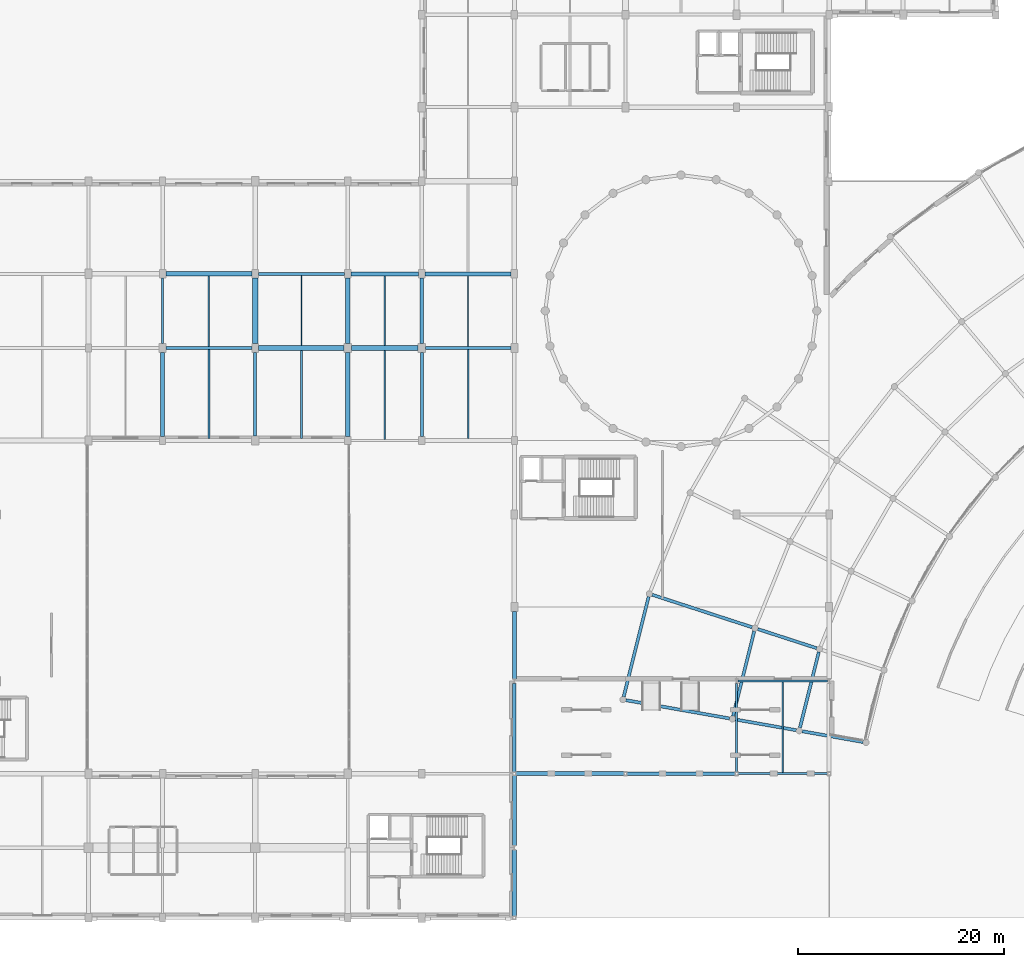
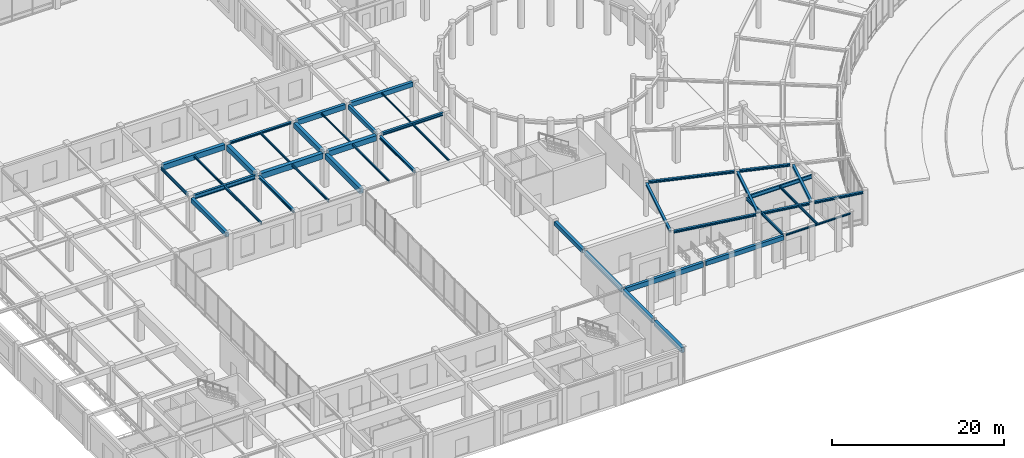
# One storey, part 16 of 64: 42 beams.
"""IFC4 building model written with IfcOpenShell, lengths in metres."""

from ifc_helpers import new_model, si_unit, direction, frame, origin, origin_2d, place, context, subcontext, project, spatial, rectangle, i_section, extrude, material, material_profile, profile_set, type_object, element, save


model = new_model("IFC4")

# Units and contexts
model_context = context("Model", 3, precision=1e-05, world=origin(), true_north=direction((0.0, 1.0)))
body_context = subcontext(model_context, "Body", "Model", "MODEL_VIEW")
ifc_project = project(units=[si_unit("LENGTHUNIT", "METRE"), si_unit("AREAUNIT", "SQUARE_METRE"), si_unit("VOLUMEUNIT", "CUBIC_METRE"), si_unit("PLANEANGLEUNIT", "RADIAN"), si_unit("MASSUNIT", "GRAM", prefix="KILO")], contexts=[model_context])

# Site, building, storey
site_placement = place(None, origin())
site = spatial("IfcSite", under=ifc_project, at=site_placement, CompositionType="ELEMENT")
building_placement = place(site_placement, origin())
building = spatial("IfcBuilding", under=site, at=building_placement, Name="Clarverna Civic Hall", CompositionType="ELEMENT")
storey_placement = place(building_placement, origin())
storey = spatial("IfcBuildingStorey", under=building, at=storey_placement, Name="L00", CompositionType="ELEMENT", Elevation=0.0)

# Beams
ifc_material_1 = material(Name="Steel S355", Category="steel")
ifc_material_profile_1 = material_profile(ifc_material_1, i_section(OverallWidth=0.199951171875, OverallDepth=0.18994140625, WebThickness=0.006591796875, FlangeThickness=0.010009765625, FilletRadius=0.01806640625, at=origin_2d()), Name="HEA 200")
ifc_profile_set_1 = profile_set([ifc_material_profile_1], Name="Steel S355")
beam_type_1 = type_object("IfcBeamType", Name="B-LN2", PredefinedType="LINTEL", material=ifc_profile_set_1)
beam_1_placement = place(storey_placement, frame((88.362060546875, 14.0, 4.7451171875), z_axis=(1.0, 0.0, 0.0), x_axis=(0.0, 1.0, 0.0)))
element("IfcBeam", 1, at=beam_1_placement, inside=storey, type_object=beam_type_1, Name="B-LN2-003", PredefinedType="LINTEL", context=body_context, shape_type="SweptSolid", body=[
    extrude(i_section(OverallWidth=0.199951171875, OverallDepth=0.18994140625, WebThickness=0.006591796875, FlangeThickness=0.010009765625, FilletRadius=0.01806640625, at=origin_2d()), origin(), (0.0, 0.0, 1.0), 8.676025390625),
])
ifc_material_2 = material(Name="Concrete C35/45", Category="concrete")
ifc_material_profile_2 = material_profile(ifc_material_2, rectangle(XDim=0.5, YDim=0.800048828125, at=origin_2d()), Name="RC 500x800")
ifc_profile_set_2 = profile_set([ifc_material_profile_2], Name="Concrete C35/45")
beam_type_2 = type_object("IfcBeamType", Name="B-RC14", PredefinedType="BEAM", material=ifc_profile_set_2)
beam_2_placement = place(storey_placement, frame((41.72509765625, 55.39990234375, 4.3798828125), z_axis=(1.0, 0.0, 0.0), x_axis=(0.0, 1.0, 0.0)))
element("IfcBeam", 2, at=beam_2_placement, inside=storey, type_object=beam_type_2, Name="B-RC14-019", PredefinedType="BEAM", context=body_context, shape_type="SweptSolid", body=[
    extrude(rectangle(XDim=0.5, YDim=0.800048828125, at=origin_2d()), origin(), (0.0, 0.0, 1.0), 8.324951171875),
])
ifc_material_profile_3 = material_profile(ifc_material_2, rectangle(XDim=0.5, YDim=0.75, at=origin_2d()), Name="RC 500x750")
ifc_profile_set_3 = profile_set([ifc_material_profile_3], Name="Concrete C35/45")
beam_type_3 = type_object("IfcBeamType", Name="B-RC15", PredefinedType="BEAM", material=ifc_profile_set_3)
beam_3_placement = place(storey_placement, frame((50.75, 55.39990234375, 4.405029296875), z_axis=(1.0, 0.0, 0.0), x_axis=(0.0, 1.0, 0.0)))
element("IfcBeam", 3, at=beam_3_placement, inside=storey, type_object=beam_type_3, Name="B-RC15-019", PredefinedType="BEAM", context=body_context, shape_type="SweptSolid", body=[
    extrude(rectangle(XDim=0.5, YDim=0.75, at=origin_2d()), origin(), (0.0, 0.0, 1.0), 6.5),
])
beam_4_placement = place(storey_placement, frame((41.39990234375, 55.824951171875, 4.405029296875), z_axis=(0.0, 1.0, 0.0), x_axis=(-1.0, 0.0, 0.0)))
element("IfcBeam", 4, at=beam_4_placement, inside=storey, type_object=beam_type_3, Name="B-RC15-023", PredefinedType="BEAM", context=body_context, shape_type="SweptSolid", body=[
    extrude(rectangle(XDim=0.5, YDim=0.75, at=origin_2d()), origin(), (0.0, 0.0, 1.0), 6.375),
])
ifc_material_profile_4 = material_profile(ifc_material_2, rectangle(XDim=0.449951171875, YDim=0.75, at=origin_2d()), Name="RC 450x750")
ifc_profile_set_4 = profile_set([ifc_material_profile_4], Name="Concrete C35/45")
beam_type_4 = type_object("IfcBeamType", Name="B-RC3", PredefinedType="BEAM", material=ifc_profile_set_4)
beam_5_placement = place(storey_placement, frame((32.72509765625, 62.60009765625, 4.405029296875), z_axis=(1.0, 0.0, 0.0), x_axis=(0.0, 1.0, 0.0)))
element("IfcBeam", 5, at=beam_5_placement, inside=storey, type_object=beam_type_4, Name="B-RC3-015", PredefinedType="BEAM", context=body_context, shape_type="SweptSolid", body=[
    extrude(rectangle(XDim=0.449951171875, YDim=0.75, at=origin_2d()), origin(), (0.0, 0.0, 1.0), 8.375),
])
beam_6_placement = place(storey_placement, frame((50.39990234375, 46.800048828125, 4.405029296875), z_axis=(0.0, 1.0, 0.0), x_axis=(-1.0, 0.0, 0.0)))
element("IfcBeam", 6, at=beam_6_placement, inside=storey, type_object=beam_type_4, Name="B-RC3-019", PredefinedType="BEAM", context=body_context, shape_type="SweptSolid", body=[
    extrude(rectangle(XDim=0.449951171875, YDim=0.75, at=origin_2d()), origin(), (0.0, 0.0, 1.0), 8.14990234375),
])
ifc_material_profile_5 = material_profile(ifc_material_2, rectangle(XDim=0.449951171875, YDim=0.699951171875, at=origin_2d()), Name="RC 450x700")
ifc_profile_set_5 = profile_set([ifc_material_profile_5], Name="Concrete C35/45")
beam_type_5 = type_object("IfcBeamType", Name="B-RC4", PredefinedType="BEAM", material=ifc_profile_set_5)
beam_7_placement = place(storey_placement, frame((50.39990234375, 55.85009765625, 4.429931640625), z_axis=(0.0, 1.0, 0.0), x_axis=(-1.0, 0.0, 0.0)))
element("IfcBeam", 7, at=beam_7_placement, inside=storey, type_object=beam_type_5, Name="B-RC4-019", PredefinedType="BEAM", context=body_context, shape_type="SweptSolid", body=[
    extrude(rectangle(XDim=0.449951171875, YDim=0.699951171875, at=origin_2d()), origin(), (0.0, 0.0, 1.0), 6.324951171875),
])
ifc_material_profile_6 = material_profile(ifc_material_2, rectangle(XDim=0.39990234375, YDim=0.699951171875, at=origin_2d()), Name="RC 400x700")
ifc_profile_set_6 = profile_set([ifc_material_profile_6], Name="Concrete C35/45")
beam_type_6 = type_object("IfcBeamType", Name="B-RC5", PredefinedType="BEAM", material=ifc_profile_set_6)
beam_8_placement = place(storey_placement, frame((50.72509765625, 62.60009765625, 4.429931640625), z_axis=(1.0, 0.0, 0.0), x_axis=(0.0, 1.0, 0.0)))
element("IfcBeam", 8, at=beam_8_placement, inside=storey, type_object=beam_type_6, Name="B-RC5-018", PredefinedType="BEAM", context=body_context, shape_type="SweptSolid", body=[
    extrude(rectangle(XDim=0.39990234375, YDim=0.699951171875, at=origin_2d()), origin(), (0.0, 0.0, 1.0), 6.5498046875),
])
ifc_material_profile_7 = material_profile(ifc_material_2, rectangle(XDim=0.39990234375, YDim=0.64990234375, at=origin_2d()), Name="RC 400x650")
ifc_profile_set_7 = profile_set([ifc_material_profile_7], Name="Concrete C35/45")
beam_type_7 = type_object("IfcBeamType", Name="B-RC6", PredefinedType="BEAM", material=ifc_profile_set_7)
beam_9_placement = place(storey_placement, frame((57.925048828125, 62.60009765625, 4.455078125), z_axis=(1.0, 0.0, 0.0), x_axis=(0.0, 1.0, 0.0)))
element("IfcBeam", 9, at=beam_9_placement, inside=storey, type_object=beam_type_7, Name="B-RC6-016", PredefinedType="BEAM", context=body_context, shape_type="SweptSolid", body=[
    extrude(rectangle(XDim=0.39990234375, YDim=0.64990234375, at=origin_2d()), origin(), (0.0, 0.0, 1.0), 8.349853515625),
])
ifc_material_profile_8 = material_profile(ifc_material_2, rectangle(XDim=0.39990234375, YDim=0.60009765625, at=origin_2d()), Name="RC 400x600")
ifc_profile_set_8 = profile_set([ifc_material_profile_8], Name="Concrete C35/45")
beam_type_8 = type_object("IfcBeamType", Name="B-RC7", PredefinedType="BEAM", material=ifc_profile_set_8)
beam_10_placement = place(storey_placement, frame((32.39990234375, 46.800048828125, 4.47998046875), z_axis=(0.0, 1.0, 0.0), x_axis=(-1.0, 0.0, 0.0)))
element("IfcBeam", 10, at=beam_10_placement, inside=storey, type_object=beam_type_8, Name="B-RC7-018", PredefinedType="BEAM", context=body_context, shape_type="SweptSolid", body=[
    extrude(rectangle(XDim=0.39990234375, YDim=0.60009765625, at=origin_2d()), origin(), (0.0, 0.0, 1.0), 8.14990234375),
])
ifc_material_profile_9 = material_profile(ifc_material_2, rectangle(XDim=0.35009765625, YDim=0.550048828125, at=origin_2d()), Name="RC 350x550")
ifc_profile_set_9 = profile_set([ifc_material_profile_9], Name="Concrete C35/45")
beam_type_9 = type_object("IfcBeamType", Name="B-RC9", PredefinedType="BEAM", material=ifc_profile_set_9)
beam_11_placement = place(storey_placement, frame((57.60009765625, 55.85009765625, 4.5048828125), z_axis=(0.0, 1.0, 0.0), x_axis=(-1.0, 0.0, 0.0)))
element("IfcBeam", 11, at=beam_11_placement, inside=storey, type_object=beam_type_9, Name="B-RC9-022", PredefinedType="BEAM", context=body_context, shape_type="SweptSolid", body=[
    extrude(rectangle(XDim=0.35009765625, YDim=0.550048828125, at=origin_2d()), origin(), (0.0, 0.0, 1.0), 6.324951171875),
])
ifc_material_profile_10 = material_profile(ifc_material_2, rectangle(XDim=0.419921875, YDim=0.719970703125, at=origin_2d()), Name="RC 420x720")
ifc_profile_set_10 = profile_set([ifc_material_profile_10], Name="Concrete C35/45")
beam_type_10 = type_object("IfcBeamType", Name="B-SP1", PredefinedType="SPANDREL", material=ifc_profile_set_10)
beam_12_placement = place(storey_placement, frame((66.60009765625, 0.162109375, 4.419921875), z_axis=(0.0, 1.0, 0.0), x_axis=(-1.0, 0.0, 0.0)))
element("IfcBeam", 12, at=beam_12_placement, inside=storey, type_object=beam_type_10, Name="B-SP1-049", PredefinedType="SPANDREL", context=body_context, shape_type="SweptSolid", body=[
    extrude(rectangle(XDim=0.419921875, YDim=0.719970703125, at=origin_2d()), origin(), (0.0, 0.0, 1.0), 6.412841796875),
])
ifc_material_profile_11 = material_profile(ifc_material_2, rectangle(XDim=0.3798828125, YDim=0.679931640625, at=origin_2d()), Name="RC 380x680")
ifc_profile_set_11 = profile_set([ifc_material_profile_11], Name="Concrete C35/45")
beam_type_11 = type_object("IfcBeamType", Name="B-SP2", PredefinedType="SPANDREL", material=ifc_profile_set_11)
beam_13_placement = place(storey_placement, frame((66.761962890625, 14.0, 4.5), z_axis=(1.0, 0.0, 0.0), x_axis=(0.0, 1.0, 0.0)))
element("IfcBeam", 13, at=beam_13_placement, inside=storey, type_object=beam_type_11, Name="B-SP2-033", PredefinedType="SPANDREL", context=body_context, shape_type="SweptSolid", body=[
    extrude(rectangle(XDim=0.3798828125, YDim=0.679931640625, at=origin_2d()), origin(), (0.0, 0.0, 1.0), 10.47607421875),
])
beam_14_placement = place(storey_placement, frame((66.60009765625, 7.02490234375, 4.43994140625), z_axis=(0.0, 1.0, 0.0), x_axis=(-1.0, 0.0, 0.0)))
element("IfcBeam", 14, at=beam_14_placement, inside=storey, type_object=beam_type_11, Name="B-SP2-048", PredefinedType="SPANDREL", context=body_context, shape_type="SweptSolid", body=[
    extrude(rectangle(XDim=0.3798828125, YDim=0.679931640625, at=origin_2d()), origin(), (0.0, 0.0, 1.0), 6.813232421875),
])
ifc_material_profile_12 = material_profile(ifc_material_2, rectangle(XDim=0.360107421875, YDim=0.6201171875, at=origin_2d()), Name="RC 360x620")
ifc_profile_set_12 = profile_set([ifc_material_profile_12], Name="Concrete C35/45")
beam_type_12 = type_object("IfcBeamType", Name="B-SP3", PredefinedType="SPANDREL", material=ifc_profile_set_12)
beam_15_placement = place(storey_placement, frame((77.56201171875, 14.0, 4.530029296875), z_axis=(1.0, 0.0, 0.0), x_axis=(0.0, 1.0, 0.0)))
element("IfcBeam", 15, at=beam_15_placement, inside=storey, type_object=beam_type_12, Name="B-SP3-034", PredefinedType="SPANDREL", context=body_context, shape_type="SweptSolid", body=[
    extrude(rectangle(XDim=0.360107421875, YDim=0.6201171875, at=origin_2d()), origin(), (0.0, 0.0, 1.0), 10.47607421875),
])
beam_16_placement = place(storey_placement, frame((66.60009765625, 14.161865234375, 4.469970703125), z_axis=(0.0, 1.0, 0.0), x_axis=(-1.0, 0.0, 0.0)))
element("IfcBeam", 16, at=beam_16_placement, inside=storey, type_object=beam_type_12, Name="B-SP3-049", PredefinedType="SPANDREL", context=body_context, shape_type="SweptSolid", body=[
    extrude(rectangle(XDim=0.360107421875, YDim=0.6201171875, at=origin_2d()), origin(), (0.0, 0.0, 1.0), 8.613037109375),
])
ifc_material_profile_13 = material_profile(ifc_material_2, rectangle(XDim=0.39990234375, YDim=0.56005859375, at=origin_2d()), Name="RC 400x560")
ifc_profile_set_13 = profile_set([ifc_material_profile_13], Name="Concrete C35/45")
beam_type_13 = type_object("IfcBeamType", Name="B-SP4", PredefinedType="SPANDREL", material=ifc_profile_set_13)
beam_17_placement = place(storey_placement, frame((66.60009765625, 23.22509765625, 4.5), z_axis=(0.0, 1.0, 0.0), x_axis=(-1.0, 0.0, 0.0)))
element("IfcBeam", 17, at=beam_17_placement, inside=storey, type_object=beam_type_13, Name="B-SP4-046", PredefinedType="SPANDREL", context=body_context, shape_type="SweptSolid", body=[
    extrude(rectangle(XDim=0.39990234375, YDim=0.56005859375, at=origin_2d()), origin(), (0.0, 0.0, 1.0), 6.52490234375),
])
ifc_material_profile_14 = material_profile(ifc_material_1, i_section(OverallWidth=0.300048828125, OverallDepth=0.60009765625, WebThickness=0.015380859375, FlangeThickness=0.030029296875, FilletRadius=0.027099609375, at=origin_2d()), Name="HEB 600")
ifc_profile_set_14 = profile_set([ifc_material_profile_14], Name="Steel S355")
beam_type_14 = type_object("IfcBeamType", Name="B-ST1", PredefinedType="BEAM", material=ifc_profile_set_14)
beam_18_placement = place(storey_placement, frame((32.75, 55.39990234375, 4.47998046875), z_axis=(1.0, 0.0, 0.0), x_axis=(0.0, 1.0, 0.0)))
element("IfcBeam", 18, at=beam_18_placement, inside=storey, type_object=beam_type_14, Name="B-ST1-001", PredefinedType="BEAM", context=body_context, shape_type="SweptSolid", body=[
    extrude(i_section(OverallWidth=0.300048828125, OverallDepth=0.60009765625, WebThickness=0.015380859375, FlangeThickness=0.030029296875, FilletRadius=0.027099609375, at=origin_2d()), origin(), (0.0, 0.0, 1.0), 8.324951171875),
])
ifc_material_profile_15 = material_profile(ifc_material_1, i_section(OverallWidth=0.300048828125, OverallDepth=0.2900390625, WebThickness=0.008544921875, FlangeThickness=0.013916015625, FilletRadius=0.027099609375, at=origin_2d()), Name="HEA 300")
ifc_profile_set_15 = profile_set([ifc_material_profile_15], Name="Steel S355")
beam_type_15 = type_object("IfcBeamType", Name="B-ST10", PredefinedType="BEAM", material=ifc_profile_set_15)
beam_19_placement = place(storey_placement, frame((41.699951171875, 62.60009765625, 4.635009765625), z_axis=(1.0, 0.0, 0.0), x_axis=(0.0, 1.0, 0.0)))
element("IfcBeam", 19, at=beam_19_placement, inside=storey, type_object=beam_type_15, Name="B-ST10-002", PredefinedType="BEAM", context=body_context, shape_type="SweptSolid", body=[
    extrude(i_section(OverallWidth=0.300048828125, OverallDepth=0.2900390625, WebThickness=0.008544921875, FlangeThickness=0.013916015625, FilletRadius=0.027099609375, at=origin_2d()), origin(), (0.0, 0.0, 1.0), 8.375),
])
ifc_material_profile_16 = material_profile(ifc_material_1, i_section(OverallWidth=0.2099609375, OverallDepth=0.550048828125, WebThickness=0.010986328125, FlangeThickness=0.01708984375, FilletRadius=0.02392578125, at=origin_2d()), Name="IPE 550")
ifc_profile_set_16 = profile_set([ifc_material_profile_16], Name="Steel S355")
beam_type_16 = type_object("IfcBeamType", Name="B-ST11", PredefinedType="BEAM", material=ifc_profile_set_16)
beam_20_placement = place(storey_placement, frame((88.35009765625, 23.0, 4.56494140625), z_axis=(1.0, 0.0, 0.0), x_axis=(0.0, 1.0, 0.0)))
element("IfcBeam", 20, at=beam_20_placement, inside=storey, type_object=beam_type_16, Name="B-ST11-001", PredefinedType="BEAM", context=body_context, shape_type="SweptSolid", body=[
    extrude(i_section(OverallWidth=0.2099609375, OverallDepth=0.550048828125, WebThickness=0.010986328125, FlangeThickness=0.01708984375, FilletRadius=0.02392578125, at=origin_2d()), origin(), (0.0, 0.0, 1.0), 8.699951171875),
])
ifc_material_profile_17 = material_profile(ifc_material_1, i_section(OverallWidth=0.179931640625, OverallDepth=0.39990234375, WebThickness=0.008544921875, FlangeThickness=0.013427734375, FilletRadius=0.02099609375, at=origin_2d()), Name="IPE 400")
ifc_profile_set_17 = profile_set([ifc_material_profile_17], Name="Steel S355")
beam_type_17 = type_object("IfcBeamType", Name="B-ST14", PredefinedType="BEAM", material=ifc_profile_set_17)
beam_21_placement = place(storey_placement, frame((32.39990234375, 55.85009765625, 4.580078125), z_axis=(0.0, 1.0, 0.0), x_axis=(-1.0, 0.0, 0.0)))
element("IfcBeam", 21, at=beam_21_placement, inside=storey, type_object=beam_type_17, Name="B-ST14-004", PredefinedType="BEAM", context=body_context, shape_type="SweptSolid", body=[
    extrude(i_section(OverallWidth=0.179931640625, OverallDepth=0.39990234375, WebThickness=0.008544921875, FlangeThickness=0.013427734375, FilletRadius=0.02099609375, at=origin_2d()), origin(), (0.0, 0.0, 1.0), 6.324951171875),
])
beam_22_placement = place(storey_placement, frame((88.199951171875, 14.161865234375, 4.639892578125), z_axis=(0.0, 1.0, 0.0), x_axis=(-1.0, 0.0, 0.0)))
element("IfcBeam", 22, at=beam_22_placement, inside=storey, type_object=beam_type_17, Name="B-ST14-005", PredefinedType="BEAM", context=body_context, shape_type="SweptSolid", body=[
    extrude(i_section(OverallWidth=0.179931640625, OverallDepth=0.39990234375, WebThickness=0.008544921875, FlangeThickness=0.013427734375, FilletRadius=0.02099609375, at=origin_2d()), origin(), (0.0, 0.0, 1.0), 8.613037109375),
])
ifc_material_profile_18 = material_profile(ifc_material_1, i_section(OverallWidth=0.300048828125, OverallDepth=0.39990234375, WebThickness=0.013427734375, FlangeThickness=0.02392578125, FilletRadius=0.027099609375, at=origin_2d()), Name="HEB 400")
ifc_profile_set_18 = profile_set([ifc_material_profile_18], Name="Steel S355")
beam_type_18 = type_object("IfcBeamType", Name="B-ST4", PredefinedType="BEAM", material=ifc_profile_set_18)
beam_23_placement = place(storey_placement, frame((57.949951171875, 55.39990234375, 4.580078125), z_axis=(1.0, 0.0, 0.0), x_axis=(0.0, 1.0, 0.0)))
element("IfcBeam", 23, at=beam_23_placement, inside=storey, type_object=beam_type_18, Name="B-ST4-001", PredefinedType="BEAM", context=body_context, shape_type="SweptSolid", body=[
    extrude(i_section(OverallWidth=0.300048828125, OverallDepth=0.39990234375, WebThickness=0.013427734375, FlangeThickness=0.02392578125, FilletRadius=0.027099609375, at=origin_2d()), origin(), (0.0, 0.0, 1.0), 8.300048828125),
])
beam_24_placement = place(storey_placement, frame((57.60009765625, 46.800048828125, 4.580078125), z_axis=(0.0, 1.0, 0.0), x_axis=(-1.0, 0.0, 0.0)))
element("IfcBeam", 24, at=beam_24_placement, inside=storey, type_object=beam_type_18, Name="B-ST4-003", PredefinedType="BEAM", context=body_context, shape_type="SweptSolid", body=[
    extrude(i_section(OverallWidth=0.300048828125, OverallDepth=0.39990234375, WebThickness=0.013427734375, FlangeThickness=0.02392578125, FilletRadius=0.027099609375, at=origin_2d()), origin(), (0.0, 0.0, 1.0), 8.14990234375),
])
ifc_material_profile_19 = material_profile(ifc_material_1, i_section(OverallWidth=0.300048828125, OverallDepth=0.389892578125, WebThickness=0.010986328125, FlangeThickness=0.01904296875, FilletRadius=0.027099609375, at=origin_2d()), Name="HEA 400")
ifc_profile_set_19 = profile_set([ifc_material_profile_19], Name="Steel S355")
beam_type_19 = type_object("IfcBeamType", Name="B-ST6", PredefinedType="BEAM", material=ifc_profile_set_19)
beam_25_placement = place(storey_placement, frame((41.39990234375, 46.85009765625, 4.5849609375), z_axis=(0.0, 1.0, 0.0), x_axis=(-1.0, 0.0, 0.0)))
element("IfcBeam", 25, at=beam_25_placement, inside=storey, type_object=beam_type_19, Name="B-ST6-003", PredefinedType="BEAM", context=body_context, shape_type="SweptSolid", body=[
    extrude(i_section(OverallWidth=0.300048828125, OverallDepth=0.389892578125, WebThickness=0.010986328125, FlangeThickness=0.01904296875, FilletRadius=0.027099609375, at=origin_2d()), origin(), (0.0, 0.0, 1.0), 8.125),
])
ifc_material_profile_20 = material_profile(ifc_material_1, i_section(OverallWidth=0.300048828125, OverallDepth=0.330078125, WebThickness=0.009521484375, FlangeThickness=0.0166015625, FilletRadius=0.027099609375, at=origin_2d()), Name="HEA 340")
ifc_profile_set_20 = profile_set([ifc_material_profile_20], Name="Steel S355")
beam_type_20 = type_object("IfcBeamType", Name="B-ST8", PredefinedType="BEAM", material=ifc_profile_set_20)
beam_26_placement = place(storey_placement, frame((96.19921875, 25.831787109375, 4.675048828125), z_axis=(-0.241946429645, -0.970289608922, 0.0), x_axis=(0.970289608922, -0.241946429645, 0.0)))
element("IfcBeam", 26, at=beam_26_placement, inside=storey, type_object=beam_type_20, Name="B-ST8-037", PredefinedType="BEAM", context=body_context, shape_type="SweptSolid", body=[
    extrude(i_section(OverallWidth=0.300048828125, OverallDepth=0.330078125, WebThickness=0.009521484375, FlangeThickness=0.0166015625, FilletRadius=0.027099609375, at=origin_2d()), origin(), (0.0, 0.0, 1.0), 7.60546875),
])
beam_27_placement = place(storey_placement, frame((89.922119140625, 27.871337890625, 4.675048828125), z_axis=(-0.241929209241, -0.970293902751, 0.0), x_axis=(0.970293902751, -0.241929209241, 0.0)))
element("IfcBeam", 27, at=beam_27_placement, inside=storey, type_object=beam_type_20, Name="B-ST8-046", PredefinedType="BEAM", context=body_context, shape_type="SweptSolid", body=[
    extrude(i_section(OverallWidth=0.300048828125, OverallDepth=0.330078125, WebThickness=0.009521484375, FlangeThickness=0.0166015625, FilletRadius=0.027099609375, at=origin_2d()), origin(), (0.0, 0.0, 1.0), 8.526123046875),
])
beam_28_placement = place(storey_placement, frame((79.65087890625, 31.208740234375, 4.614990234375), z_axis=(-0.241951568454, -0.970288327521, 0.0), x_axis=(0.970288327521, -0.241951568454, 0.0)))
element("IfcBeam", 28, at=beam_28_placement, inside=storey, type_object=beam_type_20, Name="B-ST8-053", PredefinedType="BEAM", context=body_context, shape_type="SweptSolid", body=[
    extrude(i_section(OverallWidth=0.300048828125, OverallDepth=0.330078125, WebThickness=0.009521484375, FlangeThickness=0.0166015625, FilletRadius=0.027099609375, at=origin_2d()), origin(), (0.0, 0.0, 1.0), 10.032958984375),
])
ifc_material_profile_21 = material_profile(ifc_material_1, i_section(OverallWidth=0.300048828125, OverallDepth=0.31005859375, WebThickness=0.009033203125, FlangeThickness=0.015380859375, FilletRadius=0.027099609375, at=origin_2d()), Name="HEA 320")
ifc_profile_set_21 = profile_set([ifc_material_profile_21], Name="Steel S355")
beam_type_21 = type_object("IfcBeamType", Name="B-ST9", PredefinedType="BEAM", material=ifc_profile_set_21)
beam_29_placement = place(storey_placement, frame((95.9970703125, 26.196533203125, 4.625), z_axis=(-0.951060843481, 0.309003676349, 0.0), x_axis=(-0.309003676349, -0.951060843481, 0.0)))
element("IfcBeam", 29, at=beam_29_placement, inside=storey, type_object=beam_type_21, Name="B-ST9-046", PredefinedType="BEAM", context=body_context, shape_type="SweptSolid", body=[
    extrude(i_section(OverallWidth=0.300048828125, OverallDepth=0.31005859375, WebThickness=0.009033203125, FlangeThickness=0.015380859375, FilletRadius=0.027099609375, at=origin_2d()), origin(), (0.0, 0.0, 1.0), 6.030029296875),
])
beam_30_placement = place(storey_placement, frame((89.719970703125, 28.236083984375, 4.625), z_axis=(-0.951059145157, 0.309008903453, 0.0), x_axis=(-0.309008903453, -0.951059145157, 0.0)))
element("IfcBeam", 30, at=beam_30_placement, inside=storey, type_object=beam_type_21, Name="B-ST9-047", PredefinedType="BEAM", context=body_context, shape_type="SweptSolid", body=[
    extrude(i_section(OverallWidth=0.300048828125, OverallDepth=0.31005859375, WebThickness=0.009033203125, FlangeThickness=0.015380859375, FilletRadius=0.027099609375, at=origin_2d()), origin(), (0.0, 0.0, 1.0), 10.22998046875),
])
for number, where, z_axis, x_axis, name in (
    (31, (100.50927734375, 17.0791015625, 4.68505859375), (-0.984806376161, 0.173655985995, 0.0), (-0.173655985995, -0.984806376161, 0.0), "B-ST9-048"),
    (32, (94.009521484375, 18.225341796875, 4.68505859375), (-0.984806376161, 0.173655985995, 0.0), (-0.173655985995, -0.984806376161, 0.0), "B-ST9-049"),
):
    element("IfcBeam", number, at=place(storey_placement, frame(where, z_axis=z_axis, x_axis=x_axis)), inside=storey, type_object=beam_type_21, Name=name, PredefinedType="BEAM", context=body_context, shape_type="SweptSolid", body=[
        extrude(i_section(OverallWidth=0.300048828125, OverallDepth=0.31005859375, WebThickness=0.009033203125, FlangeThickness=0.015380859375, FilletRadius=0.027099609375, at=origin_2d()), origin(), (0.0, 0.0, 1.0), 6.02978515625),
    ])
beam_31_placement = place(storey_placement, frame((87.509765625, 19.371337890625, 4.68505859375), z_axis=(-0.984808295236, 0.173645102536, 0.0), x_axis=(-0.173645102536, -0.984808295236, 0.0)))
element("IfcBeam", 33, at=beam_31_placement, inside=storey, type_object=beam_type_21, Name="B-ST9-050", PredefinedType="BEAM", context=body_context, shape_type="SweptSolid", body=[
    extrude(i_section(OverallWidth=0.300048828125, OverallDepth=0.31005859375, WebThickness=0.009033203125, FlangeThickness=0.015380859375, FilletRadius=0.027099609375, at=origin_2d()), origin(), (0.0, 0.0, 1.0), 10.22998046875),
])
ifc_material_profile_22 = material_profile(ifc_material_1, i_section(OverallWidth=0.169921875, OverallDepth=0.360107421875, WebThickness=0.008056640625, FlangeThickness=0.0126953125, FilletRadius=0.01806640625, at=origin_2d()), Name="IPE 360")
ifc_profile_set_22 = profile_set([ifc_material_profile_22], Name="Steel S355")
beam_type_22 = type_object("IfcBeamType", Name="J-ST1", PredefinedType="JOIST", material=ifc_profile_set_22)
beam_32_placement = place(storey_placement, frame((36.89990234375, 46.610107421875, 4.60009765625), z_axis=(0.0, 1.0, 0.0), x_axis=(-1.0, 0.0, 0.0)))
element("IfcBeam", 34, at=beam_32_placement, inside=storey, type_object=beam_type_22, Name="J-ST1-026", PredefinedType="JOIST", context=body_context, shape_type="SweptSolid", body=[
    extrude(i_section(OverallWidth=0.169921875, OverallDepth=0.360107421875, WebThickness=0.008056640625, FlangeThickness=0.0126953125, FilletRadius=0.01806640625, at=origin_2d()), origin(), (0.0, 0.0, 1.0), 8.639892578125),
])
ifc_material_profile_23 = material_profile(ifc_material_1, i_section(OverallWidth=0.159912109375, OverallDepth=0.330078125, WebThickness=0.007568359375, FlangeThickness=0.011474609375, FilletRadius=0.01806640625, at=origin_2d()), Name="IPE 330")
ifc_profile_set_23 = profile_set([ifc_material_profile_23], Name="Steel S355")
beam_type_23 = type_object("IfcBeamType", Name="J-ST2", PredefinedType="JOIST", material=ifc_profile_set_23)
beam_33_placement = place(storey_placement, frame((92.699951171875, 14.10009765625, 4.675048828125), z_axis=(0.0, 1.0, 0.0), x_axis=(-1.0, 0.0, 0.0)))
element("IfcBeam", 35, at=beam_33_placement, inside=storey, type_object=beam_type_23, Name="J-ST2-024", PredefinedType="JOIST", context=body_context, shape_type="SweptSolid", body=[
    extrude(i_section(OverallWidth=0.159912109375, OverallDepth=0.330078125, WebThickness=0.007568359375, FlangeThickness=0.011474609375, FilletRadius=0.01806640625, at=origin_2d()), origin(), (0.0, 0.0, 1.0), 8.794921875),
])
beam_34_placement = place(storey_placement, frame((45.89990234375, 46.590087890625, 4.614990234375), z_axis=(0.0, 1.0, 0.0), x_axis=(-1.0, 0.0, 0.0)))
element("IfcBeam", 36, at=beam_34_placement, inside=storey, type_object=beam_type_23, Name="J-ST2-026", PredefinedType="JOIST", context=body_context, shape_type="SweptSolid", body=[
    extrude(i_section(OverallWidth=0.159912109375, OverallDepth=0.330078125, WebThickness=0.007568359375, FlangeThickness=0.011474609375, FilletRadius=0.01806640625, at=origin_2d()), origin(), (0.0, 0.0, 1.0), 8.559814453125),
])
ifc_material_profile_24 = material_profile(ifc_material_1, i_section(OverallWidth=0.14990234375, OverallDepth=0.300048828125, WebThickness=0.007080078125, FlangeThickness=0.0107421875, FilletRadius=0.014892578125, at=origin_2d()), Name="IPE 300")
ifc_profile_set_24 = profile_set([ifc_material_profile_24], Name="Steel S355")
beam_type_24 = type_object("IfcBeamType", Name="J-ST3", PredefinedType="JOIST", material=ifc_profile_set_24)
beam_35_placement = place(storey_placement, frame((54.0, 46.510009765625, 4.6298828125), z_axis=(0.0, 1.0, 0.0), x_axis=(-1.0, 0.0, 0.0)))
element("IfcBeam", 37, at=beam_35_placement, inside=storey, type_object=beam_type_24, Name="J-ST3-026", PredefinedType="JOIST", context=body_context, shape_type="SweptSolid", body=[
    extrude(i_section(OverallWidth=0.14990234375, OverallDepth=0.300048828125, WebThickness=0.007080078125, FlangeThickness=0.0107421875, FilletRadius=0.014892578125, at=origin_2d()), origin(), (0.0, 0.0, 1.0), 8.639892578125),
])
beam_36_placement = place(storey_placement, frame((36.89990234375, 55.550048828125, 4.6298828125), z_axis=(0.0, 1.0, 0.0), x_axis=(-1.0, 0.0, 0.0)))
element("IfcBeam", 38, at=beam_36_placement, inside=storey, type_object=beam_type_24, Name="J-ST3-027", PredefinedType="JOIST", context=body_context, shape_type="SweptSolid", body=[
    extrude(i_section(OverallWidth=0.14990234375, OverallDepth=0.300048828125, WebThickness=0.007080078125, FlangeThickness=0.0107421875, FilletRadius=0.014892578125, at=origin_2d()), origin(), (0.0, 0.0, 1.0), 6.824951171875),
])
ifc_material_profile_25 = material_profile(ifc_material_1, i_section(OverallWidth=0.135009765625, OverallDepth=0.27001953125, WebThickness=0.006591796875, FlangeThickness=0.01025390625, FilletRadius=0.014892578125, at=origin_2d()), Name="IPE 270")
ifc_profile_set_25 = profile_set([ifc_material_profile_25], Name="Steel S355")
beam_type_25 = type_object("IfcBeamType", Name="J-ST4", PredefinedType="JOIST", material=ifc_profile_set_25)
beam_37_placement = place(storey_placement, frame((62.10009765625, 46.60009765625, 4.64501953125), z_axis=(0.0, 1.0, 0.0), x_axis=(-1.0, 0.0, 0.0)))
element("IfcBeam", 39, at=beam_37_placement, inside=storey, type_object=beam_type_25, Name="J-ST4-028", PredefinedType="JOIST", context=body_context, shape_type="SweptSolid", body=[
    extrude(i_section(OverallWidth=0.135009765625, OverallDepth=0.27001953125, WebThickness=0.006591796875, FlangeThickness=0.01025390625, FilletRadius=0.014892578125, at=origin_2d()), origin(), (0.0, 0.0, 1.0), 8.64990234375),
])
beam_38_placement = place(storey_placement, frame((45.89990234375, 55.64990234375, 4.64501953125), z_axis=(0.0, 1.0, 0.0), x_axis=(-1.0, 0.0, 0.0)))
element("IfcBeam", 40, at=beam_38_placement, inside=storey, type_object=beam_type_25, Name="J-ST4-029", PredefinedType="JOIST", context=body_context, shape_type="SweptSolid", body=[
    extrude(i_section(OverallWidth=0.135009765625, OverallDepth=0.27001953125, WebThickness=0.006591796875, FlangeThickness=0.01025390625, FilletRadius=0.014892578125, at=origin_2d()), origin(), (0.0, 0.0, 1.0), 6.800048828125),
])
ifc_material_profile_26 = material_profile(ifc_material_1, i_section(OverallWidth=0.1201171875, OverallDepth=0.239990234375, WebThickness=0.006103515625, FlangeThickness=0.009765625, FilletRadius=0.014892578125, at=origin_2d()), Name="IPE 240")
ifc_profile_set_26 = profile_set([ifc_material_profile_26], Name="Steel S355")
beam_type_26 = type_object("IfcBeamType", Name="J-ST5", PredefinedType="JOIST", material=ifc_profile_set_26)
beam_39_placement = place(storey_placement, frame((54.0, 55.64990234375, 4.659912109375), z_axis=(0.0, 1.0, 0.0), x_axis=(-1.0, 0.0, 0.0)))
element("IfcBeam", 41, at=beam_39_placement, inside=storey, type_object=beam_type_26, Name="J-ST5-027", PredefinedType="JOIST", context=body_context, shape_type="SweptSolid", body=[
    extrude(i_section(OverallWidth=0.1201171875, OverallDepth=0.239990234375, WebThickness=0.006103515625, FlangeThickness=0.009765625, FilletRadius=0.014892578125, at=origin_2d()), origin(), (0.0, 0.0, 1.0), 6.75),
])
ifc_material_profile_27 = material_profile(ifc_material_1, i_section(OverallWidth=0.110107421875, OverallDepth=0.219970703125, WebThickness=0.005859375, FlangeThickness=0.00927734375, FilletRadius=0.011962890625, at=origin_2d()), Name="IPE 220")
ifc_profile_set_27 = profile_set([ifc_material_profile_27], Name="Steel S355")
beam_type_27 = type_object("IfcBeamType", Name="J-ST6", PredefinedType="JOIST", material=ifc_profile_set_27)
beam_40_placement = place(storey_placement, frame((62.10009765625, 55.550048828125, 4.669921875), z_axis=(0.0, 1.0, 0.0), x_axis=(-1.0, 0.0, 0.0)))
element("IfcBeam", 42, at=beam_40_placement, inside=storey, type_object=beam_type_27, Name="J-ST6-028", PredefinedType="JOIST", context=body_context, shape_type="SweptSolid", body=[
    extrude(i_section(OverallWidth=0.110107421875, OverallDepth=0.219970703125, WebThickness=0.005859375, FlangeThickness=0.00927734375, FilletRadius=0.011962890625, at=origin_2d()), origin(), (0.0, 0.0, 1.0), 6.849853515625),
])

save(model, "model.ifc")
